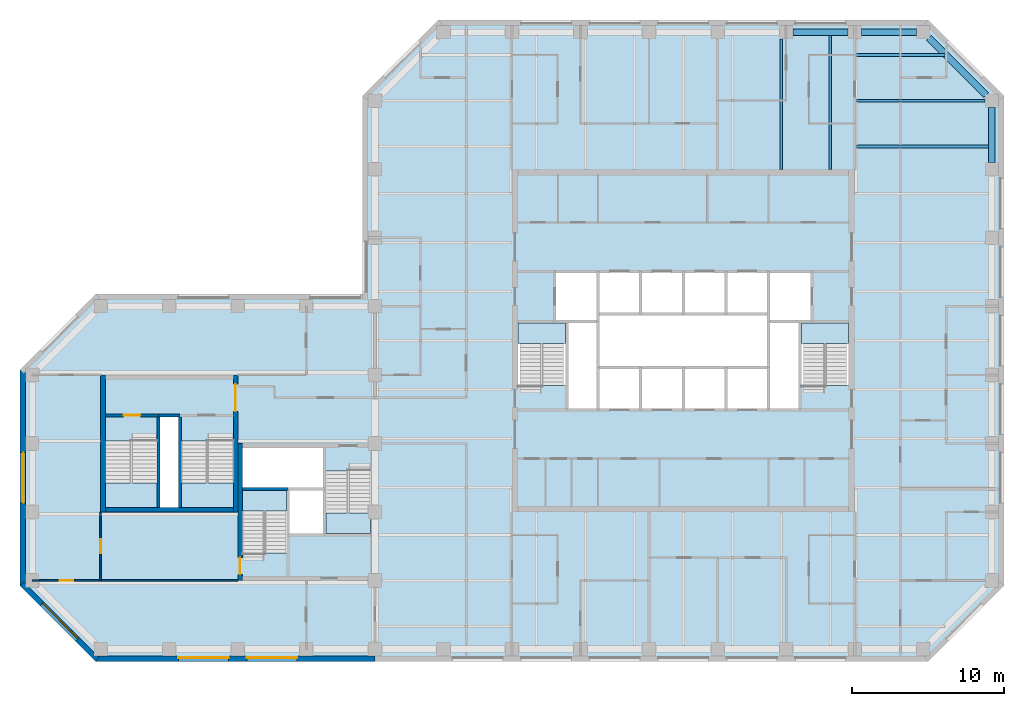
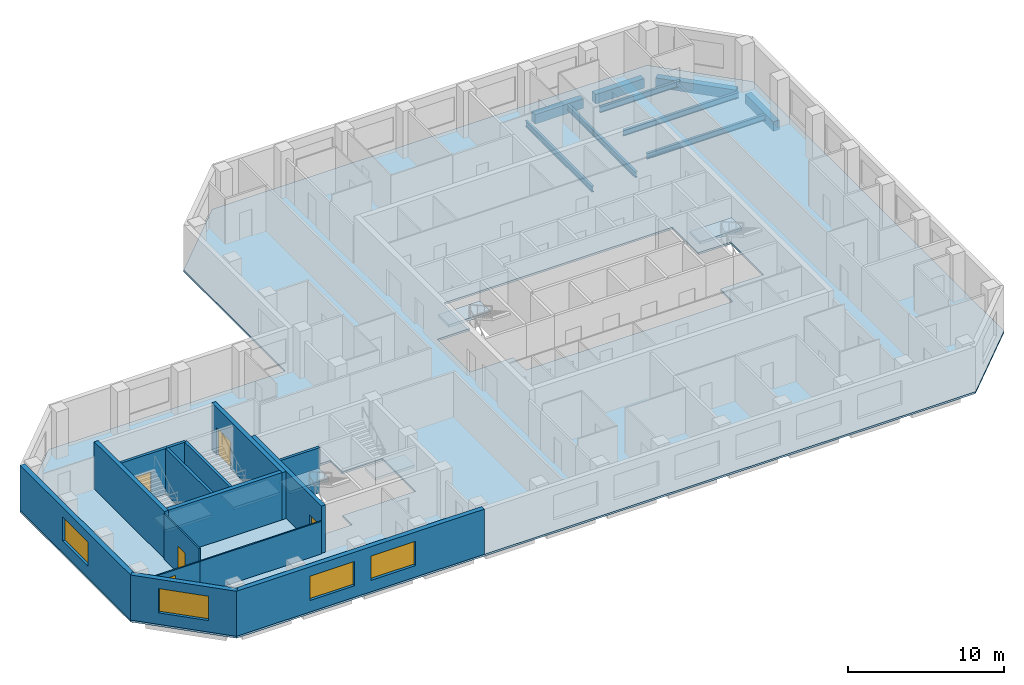
# One storey, part 2 of 10: 15 walls, 9 beams, 7 slabs, 5 doors, 4 windows, 9 openings, 6 elements without a shape of their own.
"""IFC4 building model written with IfcOpenShell, lengths in metres."""

from ifc_helpers import new_model, si_unit, direction, frame, frame_2d, origin, origin_2d, place, context, subcontext, project, spatial, polyline, rectangle, i_section, outline, extrude, material, layer, layer_set, constituent, constituent_set, material_profile, profile_set, type_object, element, fill, aggregate, save


model = new_model("IFC4")

# Units and contexts
model_context = context("Model", 3, precision=1e-05, world=origin(), true_north=direction((0.0, 1.0)))
body_context = subcontext(model_context, "Body", "Model", "MODEL_VIEW")
ifc_project = project(units=[si_unit("LENGTHUNIT", "METRE"), si_unit("AREAUNIT", "SQUARE_METRE"), si_unit("VOLUMEUNIT", "CUBIC_METRE"), si_unit("PLANEANGLEUNIT", "RADIAN"), si_unit("MASSUNIT", "GRAM", prefix="KILO")], contexts=[model_context])

# Site, building, storey
site_placement = place(None, origin())
site = spatial("IfcSite", under=ifc_project, at=site_placement, CompositionType="ELEMENT")
building_placement = place(site_placement, origin())
building = spatial("IfcBuilding", under=site, at=building_placement, Name="Quoin Convention Tower", CompositionType="ELEMENT")
storey_placement = place(building_placement, frame((0.0, 0.0, 192.10009765625)))
storey = spatial("IfcBuildingStorey", under=building, at=storey_placement, Name="L50", CompositionType="ELEMENT", Elevation=192.10009765625)

# Beams
ifc_material_1 = material(Name="Steel Grade 300", Category="steel")
ifc_material_profile_1 = material_profile(ifc_material_1, i_section(OverallWidth=0.18994140625, OverallDepth=0.4541015625, WebThickness=0.008544921875, FlangeThickness=0.0126953125, FilletRadius=0.011474609375, at=origin_2d()), Name="460UB67.1")
ifc_profile_set_1 = profile_set([ifc_material_profile_1], Name="Steel Grade 300")
beam_type_1 = type_object("IfcBeamType", Name="460UB67.1", PredefinedType="BEAM", material=ifc_profile_set_1)
beam_1_placement = place(storey_placement, frame((62.6787109375, 72.0, -0.377197265625), z_axis=(0.0, 1.0, 0.0), x_axis=(-1.0, 0.0, 0.0)))
element("IfcBeam", 1, at=beam_1_placement, inside=storey, type_object=beam_type_1, Name="bm-L50-T1N5", PredefinedType="BEAM", context=body_context, shape_type="SweptSolid", body=[
    extrude(i_section(OverallWidth=0.18994140625, OverallDepth=0.4541015625, WebThickness=0.008544921875, FlangeThickness=0.0126953125, FilletRadius=0.011474609375, at=origin_2d()), origin(), (0.0, 0.0, 1.0), 8.550048828125),
])
beam_2_placement = place(storey_placement, frame((65.892822265625, 72.0, -0.377197265625), z_axis=(0.0, 1.0, 0.0), x_axis=(-1.0, 0.0, 0.0)))
element("IfcBeam", 2, at=beam_2_placement, inside=storey, type_object=beam_type_1, Name="bm-L50-T1N6", PredefinedType="BEAM", context=body_context, shape_type="SweptSolid", body=[
    extrude(i_section(OverallWidth=0.18994140625, OverallDepth=0.4541015625, WebThickness=0.008544921875, FlangeThickness=0.0126953125, FilletRadius=0.011474609375, at=origin_2d()), origin(), (0.0, 0.0, 1.0), 8.77490234375),
])
beam_3_placement = place(storey_placement, frame((67.5, 79.5, -0.377197265625), z_axis=(1.0, 0.0, 0.0), x_axis=(0.0, 1.0, 0.0)))
element("IfcBeam", 3, at=beam_3_placement, inside=storey, type_object=beam_type_1, Name="bm-L50-T1NE0", PredefinedType="BEAM", context=body_context, shape_type="SweptSolid", body=[
    extrude(i_section(OverallWidth=0.18994140625, OverallDepth=0.4541015625, WebThickness=0.008544921875, FlangeThickness=0.0126953125, FilletRadius=0.011474609375, at=origin_2d()), origin(), (0.0, 0.0, 1.0), 5.935791015625),
])
beam_4_placement = place(storey_placement, frame((67.5, 76.5, -0.377197265625), z_axis=(1.0, 0.0, 0.0), x_axis=(0.0, 1.0, 0.0)))
element("IfcBeam", 4, at=beam_4_placement, inside=storey, type_object=beam_type_1, Name="bm-L50-T1NE1", PredefinedType="BEAM", context=body_context, shape_type="SweptSolid", body=[
    extrude(i_section(OverallWidth=0.18994140625, OverallDepth=0.4541015625, WebThickness=0.008544921875, FlangeThickness=0.0126953125, FilletRadius=0.011474609375, at=origin_2d()), origin(), (0.0, 0.0, 1.0), 8.550048828125),
])
beam_5_placement = place(storey_placement, frame((67.5, 73.5, -0.377197265625), z_axis=(1.0, 0.0, 0.0), x_axis=(0.0, 1.0, 0.0)))
element("IfcBeam", 5, at=beam_5_placement, inside=storey, type_object=beam_type_1, Name="bm-L50-T1NE2", PredefinedType="BEAM", context=body_context, shape_type="SweptSolid", body=[
    extrude(i_section(OverallWidth=0.18994140625, OverallDepth=0.4541015625, WebThickness=0.008544921875, FlangeThickness=0.0126953125, FilletRadius=0.011474609375, at=origin_2d()), origin(), (0.0, 0.0, 1.0), 8.77490234375),
])
ifc_material_2 = material(Name="Concrete C50", Category="concrete")
ifc_material_profile_2 = material_profile(ifc_material_2, rectangle(XDim=0.449951171875, YDim=0.75, at=origin_2d()), Name="RC 450x750")
ifc_profile_set_2 = profile_set([ifc_material_profile_2], Name="Concrete C50")
beam_type_2 = type_object("IfcBeamType", Name="RC 450x750 C50", PredefinedType="SPANDREL", material=ifc_profile_set_2)
beam_6_placement = place(storey_placement, frame((76.5, 72.449951171875, -0.525146484375), z_axis=(0.0, 1.0, 0.0), x_axis=(-1.0, 0.0, 0.0)))
element("IfcBeam", 6, at=beam_6_placement, inside=storey, type_object=beam_type_2, Name="spd-L50-76500_72000-76500_76500", PredefinedType="SPANDREL", context=body_context, shape_type="SweptSolid", body=[
    extrude(rectangle(XDim=0.449951171875, YDim=0.75, at=origin_2d()), origin(), (0.0, 0.0, 1.0), 3.60009765625),
])
beam_7_placement = place(storey_placement, frame((76.135009765625, 76.864990234375, -0.525146484375), z_axis=(-0.707106781187, 0.707106781187, 0.0), x_axis=(-0.707106781187, -0.707106781187, 0.0)))
element("IfcBeam", 7, at=beam_7_placement, inside=storey, type_object=beam_type_2, Name="spd-L50-76500_76500-72000_81000", PredefinedType="SPANDREL", context=body_context, shape_type="SweptSolid", body=[
    extrude(rectangle(XDim=0.449951171875, YDim=0.75, at=origin_2d()), origin(), (0.0, 0.0, 1.0), 5.33154296875),
])
for number, where, z_axis, x_axis, name in (
    (8, (71.550048828125, 81.0, -0.525146484375), (-1.0, 0.0, 0.0), (0.0, -1.0, 0.0), "spd-L50-72000_81000-67500_81000"),
    (9, (67.050048828125, 81.0, -0.525146484375), (-1.0, 0.0, 0.0), (0.0, -1.0, 0.0), "spd-L50-67500_81000-63000_81000"),
):
    element("IfcBeam", number, at=place(storey_placement, frame(where, z_axis=z_axis, x_axis=x_axis)), inside=storey, type_object=beam_type_2, Name=name, PredefinedType="SPANDREL", context=body_context, shape_type="SweptSolid", body=[
        extrude(rectangle(XDim=0.449951171875, YDim=0.75, at=origin_2d()), origin(), (0.0, 0.0, 1.0), 3.60009765625),
    ])

# Slab
ifc_material_3 = material(Name="Concrete C40", Category="concrete")
ifc_layer_1 = layer(ifc_material_3, 0.14990234375)
ifc_layer_set_1 = layer_set([ifc_layer_1], Name="Concrete C40")
slab_type_1 = type_object("IfcSlabType", Name="COMPOSITE SLAB 150 C40", PredefinedType="FLOOR", material=ifc_layer_set_1)
slab_1_placement = place(storey_placement, frame((0.0, 0.0, -0.150146484375)))
element("IfcSlab", 10, at=slab_1_placement, inside=storey, type_object=slab_type_1, Name="slb-L50", PredefinedType="FLOOR", context=body_context, shape_type="SweptSolid", body=[
    extrude(outline(polyline([(17.668701171875, 39.699951171875), (12.699951171875, 44.668701171875), (12.699951171875, 58.831298828125), (17.668701171875, 63.800048828125), (35.199951171875, 63.800048828125), (35.199951171875, 76.831298828125), (40.168701171875, 81.800048828125), (72.331298828125, 81.800048828125), (77.300048828125, 76.831298828125), (77.300048828125, 44.668701171875), (72.331298828125, 39.699951171875), (17.668701171875, 39.699951171875)]), holes=[polyline([(27.300048828125, 51.0), (27.300048828125, 46.800537109375), (30.300048828125, 46.800537109375), (30.300048828125, 48.0), (32.699951171875, 48.0), (35.699951171875, 48.0), (35.699951171875, 52.199462890625), (32.699951171875, 52.199462890625), (32.699951171875, 53.699951171875), (27.300048828125, 53.699951171875), (27.300048828125, 51.0)]), polyline([(18.300048828125, 49.800048828125), (21.800048828125, 49.800048828125), (23.199951171875, 49.800048828125), (26.699951171875, 49.800048828125), (26.699951171875, 54.1494140625), (23.199951171875, 54.1494140625), (23.199951171875, 55.85009765625), (21.800048828125, 55.85009765625), (21.800048828125, 54.1494140625), (18.300048828125, 54.1494140625), (18.300048828125, 49.800048828125)]), polyline([(48.60009765625, 56.199951171875), (50.64990234375, 56.199951171875), (53.449951171875, 56.199951171875), (56.25, 56.199951171875), (59.050048828125, 56.199951171875), (61.85009765625, 56.199951171875), (63.89990234375, 56.199951171875), (63.89990234375, 57.800537109375), (67.10009765625, 57.800537109375), (67.10009765625, 62.0), (64.699951171875, 62.0), (64.699951171875, 65.300048828125), (61.85009765625, 65.300048828125), (59.050048828125, 65.300048828125), (56.25, 65.300048828125), (53.449951171875, 65.300048828125), (50.64990234375, 65.300048828125), (47.800048828125, 65.300048828125), (47.800048828125, 62.0), (45.39990234375, 62.0), (45.39990234375, 57.800537109375), (48.60009765625, 57.800537109375), (48.60009765625, 56.199951171875)])]), origin(), (0.0, 0.0, 1.0), 0.150146484375),
])

# Stair, slab
stair_type_1 = type_object("IfcStairType", Name="Exit stair two-flight 1350", PredefinedType="HALF_TURN_STAIR", material=ifc_material_3)
stair_1_placement = place(storey_placement, origin())
stair_1 = element("IfcStair", 11, at=stair_1_placement, inside=storey, type_object=stair_type_1, Name="SD1 L50", PredefinedType="HALF_TURN_STAIR")
ifc_layer_2 = layer(ifc_material_3, 0.199951171875)
ifc_layer_set_2 = layer_set([ifc_layer_2], Name="Concrete C40")
slab_type_2 = type_object("IfcSlabType", Name="Stair landing 200", PredefinedType="LANDING", material=ifc_layer_set_2)
slab_2_placement = place(storey_placement, frame((0.0, 0.0, 1.792236328125)))
slab_2 = element("IfcSlab", 12, at=slab_2_placement, type_object=slab_type_2, Name="ST1 landing 1", PredefinedType="LANDING", context=body_context, shape_type="SweptSolid", body=[
    extrude(outline(polyline([(45.39990234375, 60.550048828125), (48.5, 60.550048828125), (48.5, 61.89990234375), (45.39990234375, 61.89990234375), (45.39990234375, 60.550048828125)])), origin(), (0.0, 0.0, 1.0), 0.199951171875),
])
aggregate(stair_1, [slab_2])

stair_2_placement = place(storey_placement, origin())
stair_2 = element("IfcStair", 13, at=stair_2_placement, inside=storey, type_object=stair_type_1, Name="SD2 L50", PredefinedType="HALF_TURN_STAIR")
slab_3_placement = place(storey_placement, frame((0.0, 0.0, 1.792236328125)))
slab_3 = element("IfcSlab", 14, at=slab_3_placement, type_object=slab_type_2, Name="ST2 landing 1", PredefinedType="LANDING", context=body_context, shape_type="SweptSolid", body=[
    extrude(outline(polyline([(64.0, 60.550048828125), (67.10009765625, 60.550048828125), (67.10009765625, 61.89990234375), (64.0, 61.89990234375), (64.0, 60.550048828125)])), origin(), (0.0, 0.0, 1.0), 0.199951171875),
])
aggregate(stair_2, [slab_3])

stair_3_placement = place(storey_placement, origin())
stair_3 = element("IfcStair", 15, at=stair_3_placement, inside=storey, type_object=stair_type_1, Name="SD3 L50", PredefinedType="HALF_TURN_STAIR")
slab_4_placement = place(storey_placement, frame((0.0, 0.0, 1.792236328125)))
slab_4 = element("IfcSlab", 16, at=slab_4_placement, type_object=slab_type_2, Name="ST3 landing 1", PredefinedType="LANDING", context=body_context, shape_type="SweptSolid", body=[
    extrude(outline(polyline([(27.300048828125, 49.550048828125), (30.199951171875, 49.550048828125), (30.199951171875, 50.89990234375), (27.300048828125, 50.89990234375), (27.300048828125, 49.550048828125)])), origin(), (0.0, 0.0, 1.0), 0.199951171875),
])
aggregate(stair_3, [slab_4])

stair_4_placement = place(storey_placement, origin())
stair_4 = element("IfcStair", 17, at=stair_4_placement, inside=storey, type_object=stair_type_1, Name="SD4 L50", PredefinedType="HALF_TURN_STAIR")
slab_5_placement = place(storey_placement, frame((0.0, 0.0, 1.792236328125)))
slab_5 = element("IfcSlab", 18, at=slab_5_placement, type_object=slab_type_2, Name="ST4 landing 1", PredefinedType="LANDING", context=body_context, shape_type="SweptSolid", body=[
    extrude(outline(polyline([(35.699951171875, 49.449951171875), (32.800048828125, 49.449951171875), (32.800048828125, 48.10009765625), (35.699951171875, 48.10009765625), (35.699951171875, 49.449951171875)])), origin(), (0.0, 0.0, 1.0), 0.199951171875),
])
aggregate(stair_4, [slab_5])

stair_type_2 = type_object("IfcStairType", Name="Exit stair two-flight 1600", PredefinedType="HALF_TURN_STAIR", material=ifc_material_3)
stair_5_placement = place(storey_placement, origin())
stair_5 = element("IfcStair", 19, at=stair_5_placement, inside=storey, type_object=stair_type_2, Name="SD11 L50", PredefinedType="HALF_TURN_STAIR")
slab_6_placement = place(storey_placement, frame((0.0, 0.0, 1.792236328125)))
slab_6 = element("IfcSlab", 20, at=slab_6_placement, type_object=slab_type_2, Name="ST11 landing 1", PredefinedType="LANDING", context=body_context, shape_type="SweptSolid", body=[
    extrude(outline(polyline([(21.699951171875, 51.39990234375), (18.300048828125, 51.39990234375), (18.300048828125, 49.800048828125), (21.699951171875, 49.800048828125), (21.699951171875, 51.39990234375)])), origin(), (0.0, 0.0, 1.0), 0.199951171875),
])
aggregate(stair_5, [slab_6])

stair_6_placement = place(storey_placement, origin())
stair_6 = element("IfcStair", 21, at=stair_6_placement, inside=storey, type_object=stair_type_2, Name="SD12 L50", PredefinedType="HALF_TURN_STAIR")
slab_7_placement = place(storey_placement, frame((0.0, 0.0, 1.792236328125)))
slab_7 = element("IfcSlab", 22, at=slab_7_placement, type_object=slab_type_2, Name="ST12 landing 1", PredefinedType="LANDING", context=body_context, shape_type="SweptSolid", body=[
    extrude(outline(polyline([(26.699951171875, 51.39990234375), (23.300048828125, 51.39990234375), (23.300048828125, 49.800048828125), (26.699951171875, 49.800048828125), (26.699951171875, 51.39990234375)])), origin(), (0.0, 0.0, 1.0), 0.199951171875),
])
aggregate(stair_6, [slab_7])

# Wall, opening, window
ifc_material_4 = material(Name="Brick masonry", Category="masonry")
ifc_layer_3 = layer(ifc_material_4, 0.35009765625)
ifc_layer_set_3 = layer_set([ifc_layer_3], Name="Brick masonry")
wall_type_1 = type_object("IfcWallType", Name="Brick facade wall", PredefinedType="STANDARD", material=ifc_layer_set_3)
wall_1_placement = place(storey_placement, frame((12.875, 58.831298828125, 0.0), z_axis=(0.0, 0.0, 1.0), x_axis=(0.0, -1.0, 0.0)))
wall_1 = element("IfcWall", 23, at=wall_1_placement, inside=storey, type_object=wall_type_1, Name="fw-L50-13500_58500", PredefinedType="STANDARD", context=body_context, shape_type="SweptSolid", body=[
    extrude(rectangle(XDim=14.16259765625, YDim=0.35009765625, at=frame_2d((7.081298828125, 0.0))), origin(), (0.0, 0.0, 1.0), 3.52490234375),
])
opening_1_placement = place(wall_1_placement, frame((5.431396484375, 0.0, 0.89990234375)))
opening_1 = element("IfcOpeningElement", 24, at=opening_1_placement, cuts=wall_1, Name="Opening W-02", PredefinedType="OPENING", context=body_context, shape_type="SweptSolid", body=[
    extrude(rectangle(XDim=3.300048828125, YDim=1.89990234375, at=frame_2d((1.64990234375, 0.949951171875))), frame((0.0, 0.18505859375, 0.0), z_axis=(0.0, -1.0, 0.0), x_axis=(1.0, 0.0, 0.0)), (0.0, 0.0, 1.0), 0.3701171875),
])
ifc_material_5 = material(Name="Aluminium", Category="aluminium")
ifc_constituent_1 = constituent(ifc_material_5, Name="Frame")
ifc_material_6 = material(Name="Insulated glass", Category="glass")
ifc_constituent_2 = constituent(ifc_material_6, Name="Glazing")
ifc_constituent_set = constituent_set(constituents=[ifc_constituent_1, ifc_constituent_2], Name="Aluminium")
window_type = type_object("IfcWindowType", Name="Office window", PartitioningType="DOUBLE_PANEL_VERTICAL", PredefinedType="WINDOW", material=ifc_constituent_set)
window_1_placement = place(opening_1_placement, origin())
window_1 = element("IfcWindow", 25, at=window_1_placement, inside=storey, type_object=window_type, Name="win-L50-12875_51750", OverallHeight=1.89990234375, OverallWidth=3.300048828125, PartitioningType="SINGLE_PANEL", PredefinedType="WINDOW", context=body_context, shape_type="SweptSolid", body=[
    extrude(rectangle(XDim=3.300048828125, YDim=1.89990234375, at=frame_2d((1.64990234375, 0.949951171875))), frame((0.0, 0.0849609375, 0.0), z_axis=(0.0, -1.0, 0.0), x_axis=(1.0, 0.0, 0.0)), (0.0, 0.0, 1.0), 0.06005859375),
])
fill(opening_1, window_1)

wall_2_placement = place(storey_placement, frame((12.82373046875, 44.79248046875, 0.0), z_axis=(0.0, 0.0, 1.0), x_axis=(0.707106781187, -0.707106781187, 0.0)))
wall_2 = element("IfcWall", 26, at=wall_2_placement, inside=storey, type_object=wall_type_1, Name="fw-L50-13500_45000", PredefinedType="STANDARD", context=body_context, shape_type="SweptSolid", body=[
    extrude(rectangle(XDim=7.02685546875, YDim=0.35009765625, at=frame_2d((3.513427734375, 0.0))), origin(), (0.0, 0.0, 1.0), 3.52490234375),
])
opening_2_placement = place(wall_2_placement, frame((1.86328125, 0.0, 0.89990234375)))
opening_2 = element("IfcOpeningElement", 27, at=opening_2_placement, cuts=wall_2, Name="Opening W-02", PredefinedType="OPENING", context=body_context, shape_type="SweptSolid", body=[
    extrude(rectangle(XDim=3.300048828125, YDim=1.89990234375, at=frame_2d((1.64990234375, 0.949951171875))), frame((0.0, 0.18505859375, 0.0), z_axis=(0.0, -1.0, 0.0), x_axis=(1.0, 0.0, 0.0)), (0.0, 0.0, 1.0), 0.3701171875),
])
window_2_placement = place(opening_2_placement, origin())
window_2 = element("IfcWindow", 28, at=window_2_placement, inside=storey, type_object=window_type, Name="win-L50-15308_42308", OverallHeight=1.89990234375, OverallWidth=3.300048828125, PartitioningType="SINGLE_PANEL", PredefinedType="WINDOW", context=body_context, shape_type="SweptSolid", body=[
    extrude(rectangle(XDim=3.300048828125, YDim=1.89990234375, at=frame_2d((1.64990234375, 0.949951171875))), frame((0.0, 0.0849609375, 0.0), z_axis=(0.0, -1.0, 0.0), x_axis=(1.0, 0.0, 0.0)), (0.0, 0.0, 1.0), 0.06005859375),
])
fill(opening_2, window_2)

# Wall, openings, windows
wall_3_placement = place(storey_placement, frame((17.668701171875, 39.875, 0.0), z_axis=(0.0, 0.0, 1.0), x_axis=(1.0, 0.0, 0.0)))
wall_3 = element("IfcWall", 29, at=wall_3_placement, inside=storey, type_object=wall_type_1, Name="fw-L50-18000_40500", PredefinedType="STANDARD", context=body_context, shape_type="SweptSolid", body=[
    extrude(rectangle(XDim=18.331298828125, YDim=0.35009765625, at=frame_2d((9.16552734375, 0.0))), origin(), (0.0, 0.0, 1.0), 3.52490234375),
])
opening_3_placement = place(wall_3_placement, frame((5.431396484375, 0.0, 0.89990234375)))
opening_3 = element("IfcOpeningElement", 30, at=opening_3_placement, cuts=wall_3, Name="Opening W-02", PredefinedType="OPENING", context=body_context, shape_type="SweptSolid", body=[
    extrude(rectangle(XDim=3.300048828125, YDim=1.89990234375, at=frame_2d((1.64990234375, 0.949951171875))), frame((0.0, 0.18505859375, 0.0), z_axis=(0.0, -1.0, 0.0), x_axis=(1.0, 0.0, 0.0)), (0.0, 0.0, 1.0), 0.3701171875),
])
opening_4_placement = place(wall_3_placement, frame((9.931396484375, 0.0, 0.89990234375)))
opening_4 = element("IfcOpeningElement", 31, at=opening_4_placement, cuts=wall_3, Name="Opening W-02", PredefinedType="OPENING", context=body_context, shape_type="SweptSolid", body=[
    extrude(rectangle(XDim=3.300048828125, YDim=1.89990234375, at=frame_2d((1.64990234375, 0.949951171875))), frame((0.0, 0.18505859375, 0.0), z_axis=(0.0, -1.0, 0.0), x_axis=(1.0, 0.0, 0.0)), (0.0, 0.0, 1.0), 0.3701171875),
])
window_3_placement = place(opening_3_placement, origin())
window_3 = element("IfcWindow", 32, at=window_3_placement, inside=storey, type_object=window_type, Name="win-L50-24750_39875", OverallHeight=1.89990234375, OverallWidth=3.300048828125, PartitioningType="SINGLE_PANEL", PredefinedType="WINDOW", context=body_context, shape_type="SweptSolid", body=[
    extrude(rectangle(XDim=3.300048828125, YDim=1.89990234375, at=frame_2d((1.64990234375, 0.949951171875))), frame((0.0, 0.0849609375, 0.0), z_axis=(0.0, -1.0, 0.0), x_axis=(1.0, 0.0, 0.0)), (0.0, 0.0, 1.0), 0.06005859375),
])
fill(opening_3, window_3)
window_4_placement = place(opening_4_placement, origin())
window_4 = element("IfcWindow", 33, at=window_4_placement, inside=storey, type_object=window_type, Name="win-L50-29250_39875", OverallHeight=1.89990234375, OverallWidth=3.300048828125, PartitioningType="SINGLE_PANEL", PredefinedType="WINDOW", context=body_context, shape_type="SweptSolid", body=[
    extrude(rectangle(XDim=3.300048828125, YDim=1.89990234375, at=frame_2d((1.64990234375, 0.949951171875))), frame((0.0, 0.0849609375, 0.0), z_axis=(0.0, -1.0, 0.0), x_axis=(1.0, 0.0, 0.0)), (0.0, 0.0, 1.0), 0.06005859375),
])
fill(opening_4, window_4)

# Walls
ifc_layer_4 = layer(ifc_material_2, 0.199951171875)
ifc_layer_set_4 = layer_set([ifc_layer_4], Name="Concrete C50")
wall_type_2 = type_object("IfcWallType", Name="Core shaft wall", PredefinedType="SOLIDWALL", material=ifc_layer_set_4)
wall_4_placement = place(storey_placement, frame((27.300048828125, 51.0, 0.0), z_axis=(0.0, 0.0, 1.0), x_axis=(1.0, 0.0, 0.0)))
element("IfcWall", 34, at=wall_4_placement, inside=storey, type_object=wall_type_2, Name="cr-P2-L50-h6000_300", PredefinedType="SOLIDWALL", context=body_context, shape_type="SweptSolid", body=[
    extrude(rectangle(XDim=3.0, YDim=0.199951171875, at=frame_2d((1.5, 0.0))), origin(), (0.0, 0.0, 1.0), 3.5498046875),
])
wall_5_placement = place(storey_placement, frame((21.800048828125, 55.85009765625, 0.0), z_axis=(0.0, 0.0, 1.0), x_axis=(1.0, 0.0, 0.0)))
element("IfcWall", 35, at=wall_5_placement, inside=storey, type_object=wall_type_2, Name="cr-P6-L50-h6350_3800", PredefinedType="SOLIDWALL", context=body_context, shape_type="SweptSolid", body=[
    extrude(rectangle(XDim=1.39990234375, YDim=0.199951171875, at=frame_2d((0.699951171875, 0.0))), origin(), (0.0, 0.0, 1.0), 3.5498046875),
])

# Wall, opening, door
wall_6_placement = place(storey_placement, frame((18.300048828125, 55.85009765625, 0.0), z_axis=(0.0, 0.0, 1.0), x_axis=(1.0, 0.0, 0.0)))
wall_6 = element("IfcWall", 36, at=wall_6_placement, inside=storey, type_object=wall_type_2, Name="cr-P6-L50-h6350_300", PredefinedType="SOLIDWALL", context=body_context, shape_type="SweptSolid", body=[
    extrude(rectangle(XDim=3.5, YDim=0.199951171875, at=frame_2d((1.75, 0.0))), origin(), (0.0, 0.0, 1.0), 3.5498046875),
])
opening_5_placement = place(wall_6_placement, frame((1.199951171875, 0.0, 0.0)))
opening_5 = element("IfcOpeningElement", 37, at=opening_5_placement, cuts=wall_6, Name="Opening SD11", PredefinedType="OPENING", context=body_context, shape_type="SweptSolid", body=[
    extrude(rectangle(XDim=1.10009765625, YDim=2.10009765625, at=frame_2d((0.550048828125, 1.050048828125))), frame((0.0, 0.10986328125, 0.0), z_axis=(0.0, -1.0, 0.0), x_axis=(1.0, 0.0, 0.0)), (0.0, 0.0, 1.0), 0.219970703125),
])
ifc_material_7 = material(Name="Steel door leaf", Category="steel")
door_type_1 = type_object("IfcDoorType", Name="Stair door 1100 x 2100", OperationType="SINGLE_SWING_RIGHT", PredefinedType="DOOR", material=ifc_material_7)
door_1_placement = place(opening_5_placement, origin())
door_1 = element("IfcDoor", 38, at=door_1_placement, inside=storey, type_object=door_type_1, Name="cd-P6-L50-SA-R2-SD11", OperationType="SINGLE_SWING_RIGHT", OverallHeight=2.10009765625, OverallWidth=1.10009765625, PredefinedType="DOOR", context=body_context, shape_type="SweptSolid", body=[
    extrude(rectangle(XDim=1.10009765625, YDim=2.10009765625, at=frame_2d((0.550048828125, 1.050048828125))), frame((0.0, 0.02490234375, 0.0), z_axis=(0.0, -1.0, 0.0), x_axis=(1.0, 0.0, 0.0)), (0.0, 0.0, 1.0), 0.050048828125),
])
fill(opening_5, door_1)

# Walls
for number, where, z_axis, x_axis, name in (
    (39, (21.800048828125, 49.800048828125, 0.0), (0.0, 0.0, 1.0), (0.0, 1.0, 0.0), "cr-P6-L50-v3800_300"),
    (40, (23.199951171875, 49.800048828125, 0.0), (0.0, 0.0, 1.0), (0.0, 1.0, 0.0), "cr-P6-L50-v5200_300"),
):
    element("IfcWall", number, at=place(storey_placement, frame(where, z_axis=z_axis, x_axis=x_axis)), inside=storey, type_object=wall_type_2, Name=name, PredefinedType="SOLIDWALL", context=body_context, shape_type="SweptSolid", body=[
        extrude(rectangle(XDim=6.050048828125, YDim=0.199951171875, at=frame_2d((3.02490234375, 0.0))), origin(), (0.0, 0.0, 1.0), 3.5498046875),
    ])

# Wall, opening, door
ifc_layer_5 = layer(ifc_material_2, 0.300048828125)
ifc_layer_set_5 = layer_set([ifc_layer_5], Name="Concrete C50")
wall_type_3 = type_object("IfcWallType", Name="RC CORE WALL 300 C50", PredefinedType="SHEAR", material=ifc_layer_set_5)
wall_7_placement = place(storey_placement, frame((27.14990234375, 45.0, 0.0), z_axis=(0.0, 0.0, 1.0), x_axis=(0.0, 1.0, 0.0)))
wall_7 = element("IfcWall", 41, at=wall_7_placement, inside=storey, type_object=wall_type_3, Name="cwl-P2-L50-W", PredefinedType="SHEAR", context=body_context, shape_type="SweptSolid", body=[
    extrude(rectangle(XDim=9.0, YDim=0.300048828125, at=frame_2d((4.5, 0.0))), origin(), (0.0, 0.0, 1.0), 3.699951171875),
])
opening_6_placement = place(wall_7_placement, frame((0.39990234375, 0.0, 0.0)))
opening_6 = element("IfcOpeningElement", 42, at=opening_6_placement, cuts=wall_7, Name="Opening SD3", PredefinedType="OPENING", context=body_context, shape_type="SweptSolid", body=[
    extrude(rectangle(XDim=1.10009765625, YDim=2.10009765625, at=frame_2d((0.550048828125, 1.050048828125))), frame((0.0, 0.159912109375, 0.0), z_axis=(0.0, -1.0, 0.0), x_axis=(1.0, 0.0, 0.0)), (0.0, 0.0, 1.0), 0.320068359375),
])
door_2_placement = place(opening_6_placement, frame((1.10009765625, 0.0, 0.0), z_axis=(0.0, 0.0, 1.0), x_axis=(-1.0, 0.0, 0.0)))
door_2 = element("IfcDoor", 43, at=door_2_placement, inside=storey, type_object=door_type_1, Name="cd-P2-L50-SA-W", OperationType="SINGLE_SWING_RIGHT", OverallHeight=2.10009765625, OverallWidth=1.10009765625, PredefinedType="DOOR", context=body_context, shape_type="SweptSolid", body=[
    extrude(rectangle(XDim=1.10009765625, YDim=2.10009765625, at=frame_2d((0.550048828125, 1.050048828125))), frame((0.0, 0.02490234375, 0.0), z_axis=(0.0, -1.0, 0.0), x_axis=(1.0, 0.0, 0.0)), (0.0, 0.0, 1.0), 0.050048828125),
])
fill(opening_6, door_2)

# Walls
wall_8_placement = place(storey_placement, frame((18.300048828125, 49.64990234375, 0.0), z_axis=(0.0, 0.0, 1.0), x_axis=(1.0, 0.0, 0.0)))
element("IfcWall", 44, at=wall_8_placement, inside=storey, type_object=wall_type_3, Name="cwl-P6-L50-S", PredefinedType="SHEAR", context=body_context, shape_type="SweptSolid", body=[
    extrude(rectangle(XDim=8.39990234375, YDim=0.300048828125, at=frame_2d((4.199951171875, 0.0))), origin(), (0.0, 0.0, 1.0), 3.699951171875),
])
wall_9_placement = place(storey_placement, frame((18.14990234375, 49.5, 0.0), z_axis=(0.0, 0.0, 1.0), x_axis=(0.0, 1.0, 0.0)))
element("IfcWall", 45, at=wall_9_placement, inside=storey, type_object=wall_type_3, Name="cwl-P6-L50-W", PredefinedType="SHEAR", context=body_context, shape_type="SweptSolid", body=[
    extrude(rectangle(XDim=9.0, YDim=0.300048828125, at=frame_2d((4.5, 0.0))), origin(), (0.0, 0.0, 1.0), 3.699951171875),
])

# Wall, opening, door
wall_10_placement = place(storey_placement, frame((26.85009765625, 49.5, 0.0), z_axis=(0.0, 0.0, 1.0), x_axis=(0.0, 1.0, 0.0)))
wall_10 = element("IfcWall", 46, at=wall_10_placement, inside=storey, type_object=wall_type_3, Name="cwl-P6-L50-E", PredefinedType="SHEAR", context=body_context, shape_type="SweptSolid", body=[
    extrude(rectangle(XDim=9.0, YDim=0.300048828125, at=frame_2d((4.5, 0.0))), origin(), (0.0, 0.0, 1.0), 3.699951171875),
])
opening_7_placement = place(wall_10_placement, frame((6.60009765625, 0.0, 0.0)))
opening_7 = element("IfcOpeningElement", 47, at=opening_7_placement, cuts=wall_10, Name="Opening DCV5-54", PredefinedType="OPENING", context=body_context, shape_type="SweptSolid", body=[
    extrude(rectangle(XDim=1.800048828125, YDim=2.10009765625, at=frame_2d((0.89990234375, 1.050048828125))), frame((0.0, 0.159912109375, 0.0), z_axis=(0.0, -1.0, 0.0), x_axis=(1.0, 0.0, 0.0)), (0.0, 0.0, 1.0), 0.320068359375),
])
door_type_2 = type_object("IfcDoorType", Name="Goods lobby door 1800 x 2100", OperationType="SINGLE_SWING_LEFT", PredefinedType="DOOR", material=ifc_material_7)
door_3_placement = place(opening_7_placement, origin())
door_3 = element("IfcDoor", 48, at=door_3_placement, inside=storey, type_object=door_type_2, Name="cd-P6-L50-R2-E", OperationType="SINGLE_SWING_LEFT", OverallHeight=2.10009765625, OverallWidth=1.800048828125, PredefinedType="DOOR", context=body_context, shape_type="SweptSolid", body=[
    extrude(rectangle(XDim=1.800048828125, YDim=2.10009765625, at=frame_2d((0.89990234375, 1.050048828125))), frame((0.0, 0.02490234375, 0.0), z_axis=(0.0, -1.0, 0.0), x_axis=(1.0, 0.0, 0.0)), (0.0, 0.0, 1.0), 0.050048828125),
])
fill(opening_7, door_3)

ifc_material_8 = material(Name="Plasterboard")
ifc_layer_6 = layer(ifc_material_8, 0.012451171875, Name="Finish")
ifc_material_9 = material(Name="Steel stud framing", Category="steel")
ifc_layer_7 = layer(ifc_material_9, 0.074951171875, Name="Structure")
ifc_layer_8 = layer(ifc_material_8, 0.012451171875, Name="Finish")
ifc_layer_set_6 = layer_set([ifc_layer_6, ifc_layer_7, ifc_layer_8], Name="Steel stud framing")
wall_type_4 = type_object("IfcWallType", Name="Stud partition 100", PredefinedType="PARTITIONING", material=ifc_layer_set_6)
wall_11_placement = place(storey_placement, frame((18.0, 49.5, 0.0), z_axis=(0.0, 0.0, 1.0), x_axis=(0.0, -1.0, 0.0)))
wall_11 = element("IfcWall", 49, at=wall_11_placement, inside=storey, type_object=wall_type_4, Name="pw-L50-w05", PredefinedType="PARTITIONING", context=body_context, shape_type="SweptSolid", body=[
    extrude(rectangle(XDim=4.5, YDim=0.10009765625, at=frame_2d((2.25, 0.0))), origin(), (0.0, 0.0, 1.0), 3.5498046875),
])
opening_8_placement = place(wall_11_placement, frame((1.800048828125, 0.0, 0.0)))
opening_8 = element("IfcOpeningElement", 50, at=opening_8_placement, cuts=wall_11, Name="Opening DOH7-33", PredefinedType="OPENING", context=body_context, shape_type="SweptSolid", body=[
    extrude(rectangle(XDim=0.89990234375, YDim=2.10009765625, at=frame_2d((0.449951171875, 1.050048828125))), frame((0.0, 0.06005859375, 0.0), z_axis=(0.0, -1.0, 0.0), x_axis=(1.0, 0.0, 0.0)), (0.0, 0.0, 1.0), 0.1201171875),
])
door_type_3 = type_object("IfcDoorType", Name="Office door 900 x 2100", OperationType="SINGLE_SWING_RIGHT", PredefinedType="DOOR", material=ifc_material_7)
door_4_placement = place(opening_8_placement, frame((0.89990234375, 0.0, 0.0), z_axis=(0.0, 0.0, 1.0), x_axis=(-1.0, 0.0, 0.0)))
door_4 = element("IfcDoor", 51, at=door_4_placement, inside=storey, type_object=door_type_3, Name="dr-L50-w05", OperationType="SINGLE_SWING_LEFT", OverallHeight=2.10009765625, OverallWidth=0.89990234375, PredefinedType="DOOR", context=body_context, shape_type="SweptSolid", body=[
    extrude(rectangle(XDim=0.89990234375, YDim=2.10009765625, at=frame_2d((0.449951171875, 1.050048828125))), frame((0.0, 0.02490234375, 0.0), z_axis=(0.0, -1.0, 0.0), x_axis=(1.0, 0.0, 0.0)), (0.0, 0.0, 1.0), 0.050048828125),
])
fill(opening_8, door_4)

ifc_layer_9 = layer(ifc_material_8, 0.012451171875, Name="Finish")
ifc_layer_10 = layer(ifc_material_9, 0.074951171875, Name="Structure")
ifc_layer_11 = layer(ifc_material_8, 0.012451171875, Name="Finish")
ifc_layer_set_7 = layer_set([ifc_layer_9, ifc_layer_10, ifc_layer_11], Name="Steel stud framing")
wall_type_5 = type_object("IfcWallType", Name="Stud partition 100 under beam 1000", PredefinedType="PARTITIONING", material=ifc_layer_set_7)
wall_12_placement = place(storey_placement, frame((18.0, 45.0, 0.0), z_axis=(0.0, 0.0, 1.0), x_axis=(-1.0, 0.0, 0.0)))
wall_12 = element("IfcWall", 52, at=wall_12_placement, inside=storey, type_object=wall_type_5, Name="pw-L50-w04", PredefinedType="PARTITIONING", context=body_context, shape_type="SweptSolid", body=[
    extrude(rectangle(XDim=4.5, YDim=0.10009765625, at=frame_2d((2.25, 0.0))), origin(), (0.0, 0.0, 1.0), 2.5498046875),
])
opening_9_placement = place(wall_12_placement, frame((1.800048828125, 0.0, 0.0)))
opening_9 = element("IfcOpeningElement", 53, at=opening_9_placement, cuts=wall_12, Name="Opening DOH7-32", PredefinedType="OPENING", context=body_context, shape_type="SweptSolid", body=[
    extrude(rectangle(XDim=0.89990234375, YDim=2.10009765625, at=frame_2d((0.449951171875, 1.050048828125))), frame((0.0, 0.06005859375, 0.0), z_axis=(0.0, -1.0, 0.0), x_axis=(1.0, 0.0, 0.0)), (0.0, 0.0, 1.0), 0.1201171875),
])
door_5_placement = place(opening_9_placement, origin())
door_5 = element("IfcDoor", 54, at=door_5_placement, inside=storey, type_object=door_type_3, Name="dr-L50-w04", OperationType="SINGLE_SWING_LEFT", OverallHeight=2.10009765625, OverallWidth=0.89990234375, PredefinedType="DOOR", context=body_context, shape_type="SweptSolid", body=[
    extrude(rectangle(XDim=0.89990234375, YDim=2.10009765625, at=frame_2d((0.449951171875, 1.050048828125))), frame((0.0, 0.02490234375, 0.0), z_axis=(0.0, -1.0, 0.0), x_axis=(1.0, 0.0, 0.0)), (0.0, 0.0, 1.0), 0.050048828125),
])
fill(opening_9, door_5)

# Wall
wall_13_placement = place(storey_placement, frame((18.0, 45.0, 0.0), z_axis=(0.0, 0.0, 1.0), x_axis=(1.0, 0.0, 0.0)))
element("IfcWall", 55, at=wall_13_placement, inside=storey, type_object=wall_type_5, Name="pw-L50-w06", PredefinedType="PARTITIONING", context=body_context, shape_type="SweptSolid", body=[
    extrude(rectangle(XDim=9.0, YDim=0.10009765625, at=frame_2d((4.5, 0.0))), origin(), (0.0, 0.0, 1.0), 2.5498046875),
])

save(model, "model.ifc")
